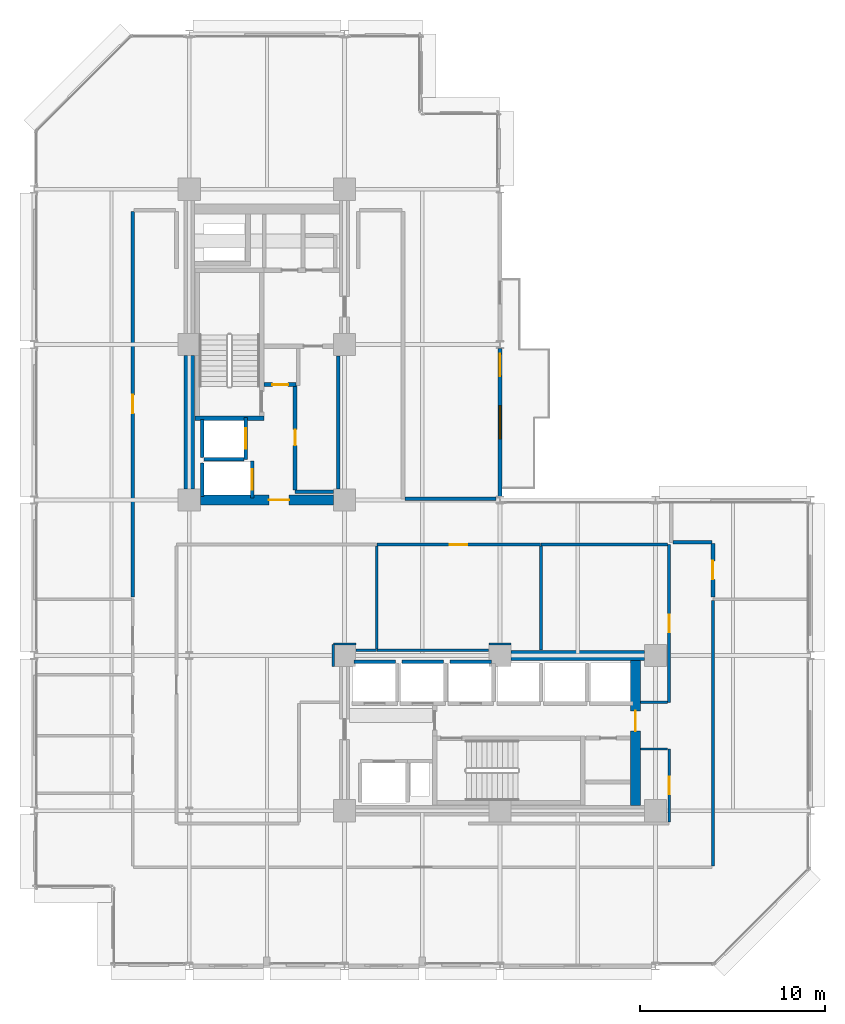
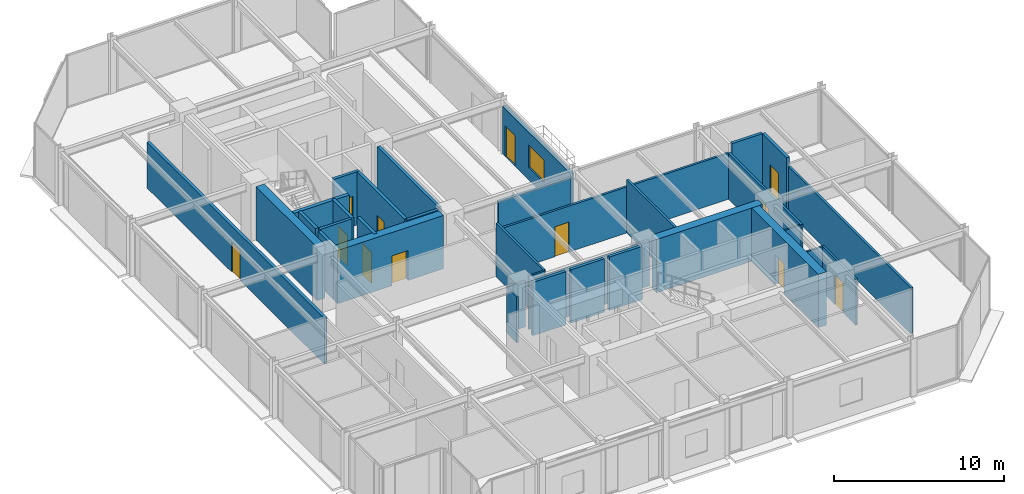
# One storey, part 25 of 30: 36 walls, 12 doors, 1 window, 13 openings.
"""IFC4 building model written with IfcOpenShell, lengths in metres."""

from ifc_helpers import new_model, si_unit, direction, frame, frame_2d, origin, place, context, subcontext, project, spatial, rectangle, extrude, material, layer, layer_set, type_object, element, fill, save


model = new_model("IFC4")

# Units and contexts
model_context = context("Model", 3, precision=1e-05, world=origin(), true_north=direction((0.0, 1.0)))
body_context = subcontext(model_context, "Body", "Model", "MODEL_VIEW")
ifc_project = project(units=[si_unit("LENGTHUNIT", "METRE"), si_unit("AREAUNIT", "SQUARE_METRE"), si_unit("VOLUMEUNIT", "CUBIC_METRE"), si_unit("PLANEANGLEUNIT", "RADIAN"), si_unit("MASSUNIT", "GRAM", prefix="KILO")], contexts=[model_context])

# Site, building, storey
site_placement = place(None, origin())
site = spatial("IfcSite", under=ifc_project, at=site_placement, CompositionType="ELEMENT")
building_placement = place(site_placement, origin())
building = spatial("IfcBuilding", under=site, at=building_placement, Name="Nerrivon Quay Data Exchange", CompositionType="ELEMENT")
storey_placement = place(building_placement, frame((0.0, 0.0, 141.800048828125)))
storey = spatial("IfcBuildingStorey", under=building, at=storey_placement, Name="L33", CompositionType="ELEMENT", Elevation=141.800048828125)

# Wall, openings, door, window
ifc_material_1 = material(Name="Architectural terracotta precast concrete N50 (50 MPa)", Category="masonry")
ifc_layer_1 = layer(ifc_material_1, 0.239990234375)
ifc_layer_set_1 = layer_set([ifc_layer_1], Name="Architectural terracotta precast concrete N50 (50 MPa)")
wall_type_1 = type_object("IfcWallType", Name="EW-PREC-240", PredefinedType="STANDARD", material=ifc_layer_set_1)
wall_1_placement = place(storey_placement, frame((25.199951171875, 33.39990234375, 0.0), z_axis=(0.0, 0.0, 1.0), x_axis=(0.0, -1.0, 0.0)))
wall_1 = element("IfcWall", 1, at=wall_1_placement, inside=storey, type_object=wall_type_1, Name="L33 Terrace Host Wall 25", PredefinedType="STANDARD", context=body_context, shape_type="SweptSolid", body=[
    extrude(rectangle(XDim=8.0, YDim=0.239990234375, at=frame_2d((4.0, 0.0))), origin(), (0.0, 0.0, 1.0), 3.421875),
])
opening_1_placement = place(wall_1_placement, frame((0.300048828125, 0.0, 0.0)))
opening_1 = element("IfcOpeningElement", 2, at=opening_1_placement, cuts=wall_1, Name="Opening TD1", PredefinedType="OPENING", context=body_context, shape_type="SweptSolid", body=[
    extrude(rectangle(XDim=1.199951171875, YDim=2.199951171875, at=frame_2d((0.60009765625, 1.10009765625))), frame((0.0, 0.1298828125, 0.0), z_axis=(0.0, -1.0, 0.0), x_axis=(1.0, 0.0, 0.0)), (0.0, 0.0, 1.0), 0.260009765625),
])
opening_2_placement = place(wall_1_placement, frame((3.10009765625, 0.0, 0.89990234375)))
opening_2 = element("IfcOpeningElement", 3, at=opening_2_placement, cuts=wall_1, Name="Opening WN2", PredefinedType="OPENING", context=body_context, shape_type="SweptSolid", body=[
    extrude(rectangle(XDim=1.800048828125, YDim=1.60009765625, at=frame_2d((0.89990234375, 0.800048828125))), frame((0.0, 0.1298828125, 0.0), z_axis=(0.0, -1.0, 0.0), x_axis=(1.0, 0.0, 0.0)), (0.0, 0.0, 1.0), 0.260009765625),
])
ifc_material_2 = material(Name="Double-glazed low-E solar control glass", Category="glass")
door_type_1 = type_object("IfcDoorType", Name="DR-TERR-1200x2200", OperationType="NOTDEFINED", PredefinedType="DOOR", material=ifc_material_2)
door_1_placement = place(opening_1_placement, origin())
door_1 = element("IfcDoor", 4, at=door_1_placement, inside=storey, type_object=door_type_1, Name="L33 Outdoor Terrace Access Door 25", OperationType="SINGLE_SWING_RIGHT", OverallHeight=2.199951171875, OverallWidth=1.199951171875, PredefinedType="DOOR", context=body_context, shape_type="SweptSolid", body=[
    extrude(rectangle(XDim=1.199951171875, YDim=2.199951171875, at=frame_2d((0.60009765625, 1.10009765625))), frame((0.0, 0.02490234375, 0.0), z_axis=(0.0, -1.0, 0.0), x_axis=(1.0, 0.0, 0.0)), (0.0, 0.0, 1.0), 0.050048828125),
])
fill(opening_1, door_1)
window_type = type_object("IfcWindowType", Name="WIN-W2-1800x1600", PartitioningType="SINGLE_PANEL", PredefinedType="WINDOW", material=ifc_material_2)
window_placement = place(opening_2_placement, origin())
window = element("IfcWindow", 5, at=window_placement, inside=storey, type_object=window_type, Name="L33 Terrace Side Window 25", OverallHeight=1.60009765625, OverallWidth=1.800048828125, PartitioningType="SINGLE_PANEL", PredefinedType="WINDOW", context=body_context, shape_type="SweptSolid", body=[
    extrude(rectangle(XDim=1.800048828125, YDim=1.60009765625, at=frame_2d((0.89990234375, 0.800048828125))), frame((0.0, 0.030029296875, 0.0), z_axis=(0.0, -1.0, 0.0), x_axis=(1.0, 0.0, 0.0)), (0.0, 0.0, 1.0), 0.06005859375),
])
fill(opening_2, window)

# Wall
ifc_material_3 = material(Name="Concrete S65 (65 MPa)", Category="concrete")
ifc_layer_2 = layer(ifc_material_3, 0.550048828125)
ifc_layer_set_2 = layer_set([ifc_layer_2], Name="Concrete S65 (65 MPa)")
wall_type_2 = type_object("IfcWallType", Name="WALL-CW-700", PredefinedType="SHEAR", material=ifc_layer_set_2)
wall_2_placement = place(storey_placement, frame((8.39990234375, 25.800048828125, 0.0), z_axis=(0.0, 0.0, 1.0), x_axis=(0.0, 1.0, 0.0)))
element("IfcWall", 6, at=wall_2_placement, inside=storey, type_object=wall_type_2, Name="L33 West Split-Core Shear Wall WCW-W1", PredefinedType="SHEAR", context=body_context, shape_type="SweptSolid", body=[
    extrude(rectangle(XDim=7.199951171875, YDim=0.550048828125, at=frame_2d((3.60009765625, 0.0))), origin(), (0.0, 0.0, 1.0), 3.824951171875),
])

# Wall, opening, door
wall_3_placement = place(storey_placement, frame((9.0, 25.199951171875, 0.0), z_axis=(0.0, 0.0, 1.0), x_axis=(1.0, 0.0, 0.0)))
wall_3 = element("IfcWall", 7, at=wall_3_placement, inside=storey, type_object=wall_type_2, Name="L33 West Split-Core Shear Wall WCW-S1", PredefinedType="SHEAR", context=body_context, shape_type="SweptSolid", body=[
    extrude(rectangle(XDim=7.199951171875, YDim=0.550048828125, at=frame_2d((3.60009765625, 0.0))), origin(), (0.0, 0.0, 1.0), 3.824951171875),
])
opening_3_placement = place(wall_3_placement, frame((3.699951171875, 0.0, 0.0)))
opening_3 = element("IfcOpeningElement", 8, at=opening_3_placement, cuts=wall_3, Name="Opening FD-120", PredefinedType="OPENING", context=body_context, shape_type="SweptSolid", body=[
    extrude(rectangle(XDim=1.10009765625, YDim=2.14990234375, at=frame_2d((0.550048828125, 1.074951171875))), frame((0.0, 0.284912109375, 0.0), z_axis=(0.0, -1.0, 0.0), x_axis=(1.0, 0.0, 0.0)), (0.0, 0.0, 1.0), 0.570068359375),
])
ifc_material_4 = material(Name="Powder-coated galvanized steel sheet", Category="steel")
door_type_2 = type_object("IfcDoorType", Name="DR-FD120-1100", OperationType="NOTDEFINED", PredefinedType="DOOR", material=ifc_material_4)
door_2_placement = place(opening_3_placement, origin())
door_2 = element("IfcDoor", 9, at=door_2_placement, inside=storey, type_object=door_type_2, Name="L33 West Core Lobby Fire Door", OperationType="SINGLE_SWING_RIGHT", OverallHeight=2.14990234375, OverallWidth=1.10009765625, PredefinedType="DOOR", context=body_context, shape_type="SweptSolid", body=[
    extrude(rectangle(XDim=1.10009765625, YDim=2.14990234375, at=frame_2d((0.550048828125, 1.074951171875))), frame((0.0, 0.02490234375, 0.0), z_axis=(0.0, -1.0, 0.0), x_axis=(1.0, 0.0, 0.0)), (0.0, 0.0, 1.0), 0.050048828125),
])
fill(opening_3, door_2)

wall_4_placement = place(storey_placement, frame((32.52490234375, 8.675048828125, 0.0), z_axis=(0.0, 0.0, 1.0), x_axis=(0.0, 1.0, 0.0)))
wall_4 = element("IfcWall", 10, at=wall_4_placement, inside=storey, type_object=wall_type_2, Name="L33 East Split-Core Shear Wall ECW-E1", PredefinedType="SHEAR", context=body_context, shape_type="SweptSolid", body=[
    extrude(rectangle(XDim=7.849853515625, YDim=0.550048828125, at=frame_2d((3.9248046875, 0.0))), origin(), (0.0, 0.0, 1.0), 3.824951171875),
])
opening_4_placement = place(wall_4_placement, frame((4.02490234375, 0.0, 0.0)))
opening_4 = element("IfcOpeningElement", 11, at=opening_4_placement, cuts=wall_4, Name="Opening FD-120", PredefinedType="OPENING", context=body_context, shape_type="SweptSolid", body=[
    extrude(rectangle(XDim=1.10009765625, YDim=2.14990234375, at=frame_2d((0.550048828125, 1.074951171875))), frame((0.0, 0.284912109375, 0.0), z_axis=(0.0, -1.0, 0.0), x_axis=(1.0, 0.0, 0.0)), (0.0, 0.0, 1.0), 0.570068359375),
])
door_3_placement = place(opening_4_placement, origin())
door_3 = element("IfcDoor", 12, at=door_3_placement, inside=storey, type_object=door_type_2, Name="L33 East Core Lobby Fire Door", OperationType="SINGLE_SWING_LEFT", OverallHeight=2.14990234375, OverallWidth=1.10009765625, PredefinedType="DOOR", context=body_context, shape_type="SweptSolid", body=[
    extrude(rectangle(XDim=1.10009765625, YDim=2.14990234375, at=frame_2d((0.550048828125, 1.074951171875))), frame((0.0, 0.02490234375, 0.0), z_axis=(0.0, -1.0, 0.0), x_axis=(1.0, 0.0, 0.0)), (0.0, 0.0, 1.0), 0.050048828125),
])
fill(opening_4, door_3)

# Wall
wall_5_placement = place(storey_placement, frame((25.800048828125, 16.800048828125, 0.0), z_axis=(0.0, 0.0, 1.0), x_axis=(1.0, 0.0, 0.0)))
element("IfcWall", 13, at=wall_5_placement, inside=storey, type_object=wall_type_2, Name="L33 East Split-Core Shear Wall ECW-N1", PredefinedType="SHEAR", context=body_context, shape_type="SweptSolid", body=[
    extrude(rectangle(XDim=7.199951171875, YDim=0.550048828125, at=frame_2d((3.60009765625, 0.0))), origin(), (0.0, 0.0, 1.0), 3.824951171875),
])

# Wall, opening, door
ifc_material_5 = material(Name="Gypsum plasterboard on cold-formed framing", Category="gypsum")
ifc_layer_3 = layer(ifc_material_5, 0.199951171875)
ifc_layer_set_3 = layer_set([ifc_layer_3], Name="Gypsum plasterboard on cold-formed framing")
wall_type_3 = type_object("IfcWallType", Name="WALL-FW-200", PredefinedType="PARTITIONING", material=ifc_layer_set_3)
wall_6_placement = place(storey_placement, frame((11.449951171875, 27.39990234375, 0.0), z_axis=(0.0, 0.0, 1.0), x_axis=(0.0, 1.0, 0.0)))
wall_6 = element("IfcWall", 14, at=wall_6_placement, inside=storey, type_object=wall_type_3, Name="L33 Lift Front Wall FFL-1", PredefinedType="PARTITIONING", context=body_context, shape_type="SweptSolid", body=[
    extrude(rectangle(XDim=2.25, YDim=0.199951171875, at=frame_2d((1.125, 0.0))), origin(), (0.0, 0.0, 1.0), 3.824951171875),
])
opening_5_placement = place(wall_6_placement, frame((0.574951171875, 0.0, 0.0)))
opening_5 = element("IfcOpeningElement", 15, at=opening_5_placement, cuts=wall_6, Name="Opening LD-120", PredefinedType="OPENING", context=body_context, shape_type="SweptSolid", body=[
    extrude(rectangle(XDim=1.10009765625, YDim=2.199951171875, at=frame_2d((0.550048828125, 1.10009765625))), frame((0.0, 0.10986328125, 0.0), z_axis=(0.0, -1.0, 0.0), x_axis=(1.0, 0.0, 0.0)), (0.0, 0.0, 1.0), 0.219970703125),
])
door_type_3 = type_object("IfcDoorType", Name="DR-LIFT-LD120", OperationType="DOUBLE_DOOR_SLIDING", PredefinedType="DOOR", material=ifc_material_4)
door_4_placement = place(opening_5_placement, origin())
door_4 = element("IfcDoor", 16, at=door_4_placement, inside=storey, type_object=door_type_3, Name="L33 Lift Landing Sliding Door FFL-1", OperationType="DOUBLE_DOOR_SLIDING", OverallHeight=2.199951171875, OverallWidth=1.10009765625, PredefinedType="DOOR", context=body_context, shape_type="SweptSolid", body=[
    extrude(rectangle(XDim=1.10009765625, YDim=2.199951171875, at=frame_2d((0.550048828125, 1.10009765625))), frame((0.0, 0.02490234375, 0.0), z_axis=(0.0, -1.0, 0.0), x_axis=(1.0, 0.0, 0.0)), (0.0, 0.0, 1.0), 0.050048828125),
])
fill(opening_5, door_4)

# Walls
wall_7_placement = place(storey_placement, frame((9.10009765625, 27.5, 0.0), z_axis=(0.0, 0.0, 1.0), x_axis=(0.0, 1.0, 0.0)))
element("IfcWall", 17, at=wall_7_placement, inside=storey, type_object=wall_type_3, Name="L33 Lift Shaft Wall FFL-1 WEST", PredefinedType="PARTITIONING", context=body_context, shape_type="SweptSolid", body=[
    extrude(rectangle(XDim=2.050048828125, YDim=0.199951171875, at=frame_2d((1.02490234375, 0.0))), origin(), (0.0, 0.0, 1.0), 3.824951171875),
])
wall_8_placement = place(storey_placement, frame((9.199951171875, 27.39990234375, 0.0), z_axis=(0.0, 0.0, 1.0), x_axis=(1.0, 0.0, 0.0)))
element("IfcWall", 18, at=wall_8_placement, inside=storey, type_object=wall_type_3, Name="L33 Lift Shaft Wall FFL-1 SOUTH", PredefinedType="PARTITIONING", context=body_context, shape_type="SweptSolid", body=[
    extrude(rectangle(XDim=2.150146484375, YDim=0.199951171875, at=frame_2d((1.0751953125, 0.0))), origin(), (0.0, 0.0, 1.0), 3.824951171875),
])

# Wall, opening, door
wall_9_placement = place(storey_placement, frame((11.800048828125, 25.300048828125, 0.0), z_axis=(0.0, 0.0, 1.0), x_axis=(0.0, 1.0, 0.0)))
wall_9 = element("IfcWall", 19, at=wall_9_placement, inside=storey, type_object=wall_type_3, Name="L33 Lift Front Wall SVL-1", PredefinedType="PARTITIONING", context=body_context, shape_type="SweptSolid", body=[
    extrude(rectangle(XDim=2.0, YDim=0.199951171875, at=frame_2d((1.0, 0.0))), origin(), (0.0, 0.0, 1.0), 3.824951171875),
])
opening_6_placement = place(wall_9_placement, frame((0.449951171875, 0.0, 0.0)))
opening_6 = element("IfcOpeningElement", 20, at=opening_6_placement, cuts=wall_9, Name="Opening LD-120", PredefinedType="OPENING", context=body_context, shape_type="SweptSolid", body=[
    extrude(rectangle(XDim=1.10009765625, YDim=2.199951171875, at=frame_2d((0.550048828125, 1.10009765625))), frame((0.0, 0.10986328125, 0.0), z_axis=(0.0, -1.0, 0.0), x_axis=(1.0, 0.0, 0.0)), (0.0, 0.0, 1.0), 0.219970703125),
])
door_5_placement = place(opening_6_placement, origin())
door_5 = element("IfcDoor", 21, at=door_5_placement, inside=storey, type_object=door_type_3, Name="L33 Lift Landing Sliding Door SVL-1", OperationType="DOUBLE_DOOR_SLIDING", OverallHeight=2.199951171875, OverallWidth=1.10009765625, PredefinedType="DOOR", context=body_context, shape_type="SweptSolid", body=[
    extrude(rectangle(XDim=1.10009765625, YDim=2.199951171875, at=frame_2d((0.550048828125, 1.10009765625))), frame((0.0, 0.02490234375, 0.0), z_axis=(0.0, -1.0, 0.0), x_axis=(1.0, 0.0, 0.0)), (0.0, 0.0, 1.0), 0.050048828125),
])
fill(opening_6, door_5)

# Walls
wall_10_placement = place(storey_placement, frame((9.10009765625, 25.39990234375, 0.0), z_axis=(0.0, 0.0, 1.0), x_axis=(0.0, 1.0, 0.0)))
element("IfcWall", 22, at=wall_10_placement, inside=storey, type_object=wall_type_3, Name="L33 Lift Shaft Wall SVL-1 WEST", PredefinedType="PARTITIONING", context=body_context, shape_type="SweptSolid", body=[
    extrude(rectangle(XDim=1.800048828125, YDim=0.199951171875, at=frame_2d((0.89990234375, 0.0))), origin(), (0.0, 0.0, 1.0), 3.824951171875),
])
for number, where, z_axis, x_axis, name in (
    (23, (17.300048828125, 16.449951171875, 0.0), (0.0, 0.0, 1.0), (1.0, 0.0, 0.0), "L33 Lift Shaft Wall PL4 NORTH"),
    (24, (19.89990234375, 16.449951171875, 0.0), (0.0, 0.0, 1.0), (1.0, 0.0, 0.0), "L33 Lift Shaft Wall PL5 NORTH"),
    (25, (22.5, 16.449951171875, 0.0), (0.0, 0.0, 1.0), (1.0, 0.0, 0.0), "L33 Lift Shaft Wall PL6 NORTH"),
):
    element("IfcWall", number, at=place(storey_placement, frame(where, z_axis=z_axis, x_axis=x_axis)), inside=storey, type_object=wall_type_3, Name=name, PredefinedType="PARTITIONING", context=body_context, shape_type="SweptSolid", body=[
        extrude(rectangle(XDim=2.25, YDim=0.199951171875, at=frame_2d((1.125, 0.0))), origin(), (0.0, 0.0, 1.0), 3.824951171875),
    ])
wall_11_placement = place(storey_placement, frame((14.1201171875, 25.64990234375, 0.0), z_axis=(0.0, 0.0, 1.0), x_axis=(1.0, 0.0, 0.0)))
element("IfcWall", 26, at=wall_11_placement, inside=storey, type_object=wall_type_3, Name="L33 Partition Core Equipment Store", PredefinedType="PARTITIONING", context=body_context, shape_type="SweptSolid", body=[
    extrude(rectangle(XDim=2.074951171875, YDim=0.199951171875, at=frame_2d((1.03759765625, 0.0))), origin(), (0.0, 0.0, 1.0), 3.824951171875),
])
wall_12_placement = place(storey_placement, frame((16.449951171875, 25.804931640625, 0.0), z_axis=(0.0, 0.0, 1.0), x_axis=(0.0, 1.0, 0.0)))
element("IfcWall", 27, at=wall_12_placement, inside=storey, type_object=wall_type_3, Name="L33 Partition Core Equipment Store", PredefinedType="PARTITIONING", context=body_context, shape_type="SweptSolid", body=[
    extrude(rectangle(XDim=7.190185546875, YDim=0.199951171875, at=frame_2d((3.59521484375, 0.0))), origin(), (0.0, 0.0, 1.0), 3.824951171875),
])

# Wall, opening, door
wall_13_placement = place(storey_placement, frame((14.1201171875, 31.39990234375, 0.0), z_axis=(0.0, 0.0, 1.0), x_axis=(0.0, -1.0, 0.0)))
wall_13 = element("IfcWall", 28, at=wall_13_placement, inside=storey, type_object=wall_type_3, Name="L33 Partition Core Equipment Store", PredefinedType="PARTITIONING", context=body_context, shape_type="SweptSolid", body=[
    extrude(rectangle(XDim=5.64599609375, YDim=0.199951171875, at=frame_2d((2.822998046875, 0.0))), origin(), (0.0, 0.0, 1.0), 3.824951171875),
])
opening_7_placement = place(wall_13_placement, frame((2.39794921875, 0.0, 0.0)))
opening_7 = element("IfcOpeningElement", 29, at=opening_7_placement, cuts=wall_13, Name="Opening FD-60S", PredefinedType="OPENING", context=body_context, shape_type="SweptSolid", body=[
    extrude(rectangle(XDim=0.85009765625, YDim=2.14990234375, at=frame_2d((0.425048828125, 1.074951171875))), frame((0.0, 0.10986328125, 0.0), z_axis=(0.0, -1.0, 0.0), x_axis=(1.0, 0.0, 0.0)), (0.0, 0.0, 1.0), 0.219970703125),
])
ifc_material_6 = material(Name="Engineered hardwood timber", Category="wood")
door_type_4 = type_object("IfcDoorType", Name="DR-FD60-850", OperationType="NOTDEFINED", PredefinedType="DOOR", material=ifc_material_6)
door_6_placement = place(opening_7_placement, origin())
door_6 = element("IfcDoor", 30, at=door_6_placement, inside=storey, type_object=door_type_4, Name="L33 Door Core Equipment Store", OperationType="SINGLE_SWING_LEFT", OverallHeight=2.14990234375, OverallWidth=0.85009765625, PredefinedType="DOOR", context=body_context, shape_type="SweptSolid", body=[
    extrude(rectangle(XDim=0.85009765625, YDim=2.14990234375, at=frame_2d((0.425048828125, 1.074951171875))), frame((0.0, 0.02490234375, 0.0), z_axis=(0.0, -1.0, 0.0), x_axis=(1.0, 0.0, 0.0)), (0.0, 0.0, 1.0), 0.050048828125),
])
fill(opening_7, door_6)

wall_14_placement = place(storey_placement, frame((12.4541015625, 31.43994140625, 0.0), z_axis=(0.0, 0.0, 1.0), x_axis=(1.0, 0.0, 0.0)))
wall_14 = element("IfcWall", 31, at=wall_14_placement, inside=storey, type_object=wall_type_3, Name="L33 Partition Optical Patch Closet", PredefinedType="PARTITIONING", context=body_context, shape_type="SweptSolid", body=[
    extrude(rectangle(XDim=1.725830078125, YDim=0.199951171875, at=frame_2d((0.86279296875, 0.0))), origin(), (0.0, 0.0, 1.0), 3.824951171875),
])
opening_8_placement = place(wall_14_placement, frame((0.43798828125, 0.0, 0.0)))
opening_8 = element("IfcOpeningElement", 32, at=opening_8_placement, cuts=wall_14, Name="Opening FD-60S", PredefinedType="OPENING", context=body_context, shape_type="SweptSolid", body=[
    extrude(rectangle(XDim=0.85009765625, YDim=2.14990234375, at=frame_2d((0.425048828125, 1.074951171875))), frame((0.0, 0.10986328125, 0.0), z_axis=(0.0, -1.0, 0.0), x_axis=(1.0, 0.0, 0.0)), (0.0, 0.0, 1.0), 0.219970703125),
])
door_7_placement = place(opening_8_placement, origin())
door_7 = element("IfcDoor", 33, at=door_7_placement, inside=storey, type_object=door_type_4, Name="L33 Door Optical Patch Closet", OperationType="SINGLE_SWING_RIGHT", OverallHeight=2.14990234375, OverallWidth=0.85009765625, PredefinedType="DOOR", context=body_context, shape_type="SweptSolid", body=[
    extrude(rectangle(XDim=0.85009765625, YDim=2.14990234375, at=frame_2d((0.425048828125, 1.074951171875))), frame((0.0, 0.02490234375, 0.0), z_axis=(0.0, -1.0, 0.0), x_axis=(1.0, 0.0, 0.0)), (0.0, 0.0, 1.0), 0.050048828125),
])
fill(opening_8, door_7)

wall_15_placement = place(storey_placement, frame((36.7099609375, 22.85009765625, 0.0), z_axis=(0.0, 0.0, 1.0), x_axis=(0.0, -1.0, 0.0)))
wall_15 = element("IfcWall", 34, at=wall_15_placement, inside=storey, type_object=wall_type_3, Name="L33 Partition Colocation Data Workspace 1", PredefinedType="PARTITIONING", context=body_context, shape_type="SweptSolid", body=[
    extrude(rectangle(XDim=2.886962890625, YDim=0.199951171875, at=frame_2d((1.443359375, 0.0))), origin(), (0.0, 0.0, 1.0), 3.824951171875),
])
opening_9_placement = place(wall_15_placement, frame((0.943359375, 0.0, 0.0)))
opening_9 = element("IfcOpeningElement", 35, at=opening_9_placement, cuts=wall_15, Name="Opening FD-60", PredefinedType="OPENING", context=body_context, shape_type="SweptSolid", body=[
    extrude(rectangle(XDim=1.0, YDim=2.14990234375, at=frame_2d((0.5, 1.074951171875))), frame((0.0, 0.10986328125, 0.0), z_axis=(0.0, -1.0, 0.0), x_axis=(1.0, 0.0, 0.0)), (0.0, 0.0, 1.0), 0.219970703125),
])
door_type_5 = type_object("IfcDoorType", Name="DR-FD60-1000", OperationType="NOTDEFINED", PredefinedType="DOOR", material=ifc_material_6)
door_8_placement = place(opening_9_placement, origin())
door_8 = element("IfcDoor", 36, at=door_8_placement, inside=storey, type_object=door_type_5, Name="L33 Door Colocation Data Workspace 1", OperationType="SINGLE_SWING_RIGHT", OverallHeight=2.14990234375, OverallWidth=1.0, PredefinedType="DOOR", context=body_context, shape_type="SweptSolid", body=[
    extrude(rectangle(XDim=1.0, YDim=2.14990234375, at=frame_2d((0.5, 1.074951171875))), frame((0.0, 0.02490234375, 0.0), z_axis=(0.0, -1.0, 0.0), x_axis=(1.0, 0.0, 0.0)), (0.0, 0.0, 1.0), 0.050048828125),
])
fill(opening_9, door_8)

# Wall
wall_16_placement = place(storey_placement, frame((34.56396484375, 22.909912109375, 0.0), z_axis=(0.0, 0.0, 1.0), x_axis=(1.0, 0.0, 0.0)))
element("IfcWall", 37, at=wall_16_placement, inside=storey, type_object=wall_type_3, Name="L33 Partition Colocation Data Workspace 1", PredefinedType="PARTITIONING", context=body_context, shape_type="SweptSolid", body=[
    extrude(rectangle(XDim=2.0859375, YDim=0.199951171875, at=frame_2d((1.04296875, 0.0))), origin(), (0.0, 0.0, 1.0), 3.824951171875),
])

# Wall, opening, door
wall_17_placement = place(storey_placement, frame((5.340087890625, 19.963134765625, 0.0), z_axis=(0.0, 0.0, 1.0), x_axis=(1.1713442e-05, 0.999999999931, 0.0)))
wall_17 = element("IfcWall", 38, at=wall_17_placement, inside=storey, type_object=wall_type_3, Name="L33 Partition Colocation Data Workspace 1", PredefinedType="PARTITIONING", context=body_context, shape_type="SweptSolid", body=[
    extrude(rectangle(XDim=20.8427734375, YDim=0.199951171875, at=frame_2d((10.42138671875, 0.0))), origin(), (0.0, 0.0, 1.0), 3.2919921875),
])
opening_10_placement = place(wall_17_placement, frame((9.92138671875, 0.0, 0.0)))
opening_10 = element("IfcOpeningElement", 39, at=opening_10_placement, cuts=wall_17, Name="Opening FD-60", PredefinedType="OPENING", context=body_context, shape_type="SweptSolid", body=[
    extrude(rectangle(XDim=1.0, YDim=2.14990234375, at=frame_2d((0.5, 1.074951171875))), frame((0.0, 0.10986328125, 0.0), z_axis=(0.0, -1.0, 0.0), x_axis=(1.0, 0.0, 0.0)), (0.0, 0.0, 1.0), 0.219970703125),
])
door_9_placement = place(opening_10_placement, origin())
door_9 = element("IfcDoor", 40, at=door_9_placement, inside=storey, type_object=door_type_5, Name="L33 Door Colocation Data Workspace 1", OperationType="SINGLE_SWING_LEFT", OverallHeight=2.14990234375, OverallWidth=1.0, PredefinedType="DOOR", context=body_context, shape_type="SweptSolid", body=[
    extrude(rectangle(XDim=1.0, YDim=2.14990234375, at=frame_2d((0.5, 1.074951171875))), frame((0.0, 0.02490234375, 0.0), z_axis=(0.0, -1.0, 0.0), x_axis=(1.0, 0.0, 0.0)), (0.0, 0.0, 1.0), 0.050048828125),
])
fill(opening_10, door_9)

# Walls
wall_18_placement = place(storey_placement, frame((20.06396484375, 25.260009765625, 0.0), z_axis=(0.0, 0.0, 1.0), x_axis=(1.0, 0.0, 0.0)))
element("IfcWall", 41, at=wall_18_placement, inside=storey, type_object=wall_type_3, Name="L33 Partition Colocation Data Workspace 1", PredefinedType="PARTITIONING", context=body_context, shape_type="SweptSolid", body=[
    extrude(rectangle(XDim=4.916015625, YDim=0.199951171875, at=frame_2d((2.4580078125, 0.0))), origin(), (0.0, 0.0, 1.0), 3.2919921875),
])
ifc_layer_4 = layer(ifc_material_5, 0.1201171875)
ifc_layer_set_4 = layer_set([ifc_layer_4], Name="Gypsum plasterboard on cold-formed framing")
wall_type_4 = type_object("IfcWallType", Name="WALL-PT-120", PredefinedType="PARTITIONING", material=ifc_layer_set_4)
wall_19_placement = place(storey_placement, frame((34.2685546875, 11.739990234375, 0.0), z_axis=(0.0, 0.0, 1.0), x_axis=(-1.0, 0.0, 0.0)))
element("IfcWall", 42, at=wall_19_placement, inside=storey, type_object=wall_type_4, Name="L33 Partition Staff Pantry", PredefinedType="PARTITIONING", context=body_context, shape_type="SweptSolid", body=[
    extrude(rectangle(XDim=1.464599609375, YDim=0.1201171875, at=frame_2d((0.732421875, 0.0))), origin(), (0.0, 0.0, 1.0), 3.296875),
])
wall_20_placement = place(storey_placement, frame((32.803955078125, 14.260009765625, 0.0), z_axis=(0.0, 0.0, 1.0), x_axis=(1.0, 0.0, 0.0)))
element("IfcWall", 43, at=wall_20_placement, inside=storey, type_object=wall_type_4, Name="L33 Partition Mail and Crew Room", PredefinedType="PARTITIONING", context=body_context, shape_type="SweptSolid", body=[
    extrude(rectangle(XDim=1.45703125, YDim=0.1201171875, at=frame_2d((0.728515625, 0.0))), origin(), (0.0, 0.0, 1.0), 3.296875),
])
wall_21_placement = place(storey_placement, frame((24.59423828125, 17.419189453125, 0.0), z_axis=(0.0, 0.0, 1.0), x_axis=(0.999999815526, 0.000607410295, 0.0)))
element("IfcWall", 44, at=wall_21_placement, inside=storey, type_object=wall_type_4, Name="L33 Partition Client Conference Room 1", PredefinedType="PARTITIONING", context=body_context, shape_type="SweptSolid", body=[
    extrude(rectangle(XDim=1.205810546875, YDim=0.1201171875, at=frame_2d((0.60302734375, 0.0))), origin(), (0.0, 0.0, 1.0), 3.296875),
])
wall_22_placement = place(storey_placement, frame((16.180908203125, 16.194091796875, 0.0), z_axis=(0.0, 0.0, 1.0), x_axis=(-0.000809880277, 0.999999672047, 0.0)))
element("IfcWall", 45, at=wall_22_placement, inside=storey, type_object=wall_type_4, Name="L33 Partition Peering Huddle Meeting Room", PredefinedType="PARTITIONING", context=body_context, shape_type="SweptSolid", body=[
    extrude(rectangle(XDim=1.205810546875, YDim=0.1201171875, at=frame_2d((0.60302734375, 0.0))), origin(), (0.0, 0.0, 1.0), 3.2919921875),
])
wall_23_placement = place(storey_placement, frame((16.199951171875, 17.419921875, 0.0), z_axis=(0.0, 0.0, 1.0), x_axis=(1.0, 0.0, 0.0)))
element("IfcWall", 46, at=wall_23_placement, inside=storey, type_object=wall_type_4, Name="L33 Partition Peering Huddle Meeting Room", PredefinedType="PARTITIONING", context=body_context, shape_type="SweptSolid", body=[
    extrude(rectangle(XDim=1.2021484375, YDim=0.1201171875, at=frame_2d((0.60107421875, 0.0))), origin(), (0.0, 0.0, 1.0), 3.296875),
])
wall_24_placement = place(storey_placement, frame((17.419921875, 17.074951171875, 0.0), z_axis=(0.0, 0.0, 1.0), x_axis=(1.0, 0.0, 0.0)))
element("IfcWall", 47, at=wall_24_placement, inside=storey, type_object=wall_type_4, Name="L33 Partition Peering Huddle Meeting Room", PredefinedType="PARTITIONING", context=body_context, shape_type="SweptSolid", body=[
    extrude(rectangle(XDim=1.099609375, YDim=0.1201171875, at=frame_2d((0.5498046875, 0.0))), origin(), (0.0, 0.0, 1.0), 3.824951171875),
])

# Wall, opening, door
ifc_layer_5 = layer(ifc_material_5, 0.135009765625)
ifc_layer_set_5 = layer_set([ifc_layer_5], Name="Gypsum plasterboard on cold-formed framing")
wall_type_5 = type_object("IfcWallType", Name="WALL-PT-135", PredefinedType="PARTITIONING", material=ifc_layer_set_5)
wall_25_placement = place(storey_placement, frame((34.340087890625, 7.7890625, 0.0), z_axis=(0.0, 0.0, 1.0), x_axis=(0.0, 1.0, 0.0)))
wall_25 = element("IfcWall", 48, at=wall_25_placement, inside=storey, type_object=wall_type_5, Name="L33 Partition Staff Pantry", PredefinedType="PARTITIONING", context=body_context, shape_type="SweptSolid", body=[
    extrude(rectangle(XDim=3.950927734375, YDim=0.135009765625, at=frame_2d((1.9755859375, 0.0))), origin(), (0.0, 0.0, 1.0), 3.2919921875),
])
opening_11_placement = place(wall_25_placement, frame((1.50048828125, 0.0, 0.0)))
opening_11 = element("IfcOpeningElement", 49, at=opening_11_placement, cuts=wall_25, Name="Opening D-01", PredefinedType="OPENING", context=body_context, shape_type="SweptSolid", body=[
    extrude(rectangle(XDim=0.949951171875, YDim=2.14990234375, at=frame_2d((0.47509765625, 1.074951171875))), frame((0.0, 0.077392578125, 0.0), z_axis=(0.0, -1.0, 0.0), x_axis=(1.0, 0.0, 0.0)), (0.0, 0.0, 1.0), 0.155029296875),
])
door_type_6 = type_object("IfcDoorType", Name="DR-INT-950", OperationType="NOTDEFINED", PredefinedType="DOOR", material=ifc_material_6)
door_10_placement = place(opening_11_placement, origin())
door_10 = element("IfcDoor", 50, at=door_10_placement, inside=storey, type_object=door_type_6, Name="L33 Door Staff Pantry", OperationType="SINGLE_SWING_RIGHT", OverallHeight=2.14990234375, OverallWidth=0.949951171875, PredefinedType="DOOR", context=body_context, shape_type="SweptSolid", body=[
    extrude(rectangle(XDim=0.949951171875, YDim=2.14990234375, at=frame_2d((0.47509765625, 1.074951171875))), frame((0.0, 0.02490234375, 0.0), z_axis=(0.0, -1.0, 0.0), x_axis=(1.0, 0.0, 0.0)), (0.0, 0.0, 1.0), 0.050048828125),
])
fill(opening_11, door_10)

ifc_layer_6 = layer(ifc_material_5, 0.14990234375)
ifc_layer_set_6 = layer_set([ifc_layer_6], Name="Gypsum plasterboard on cold-formed framing")
wall_type_6 = type_object("IfcWallType", Name="WALL-PT-150", PredefinedType="PARTITIONING", material=ifc_layer_set_6)
wall_26_placement = place(storey_placement, frame((34.340087890625, 14.260009765625, 0.0), z_axis=(0.0, 0.0, 1.0), x_axis=(0.0, 1.0, 0.0)))
wall_26 = element("IfcWall", 51, at=wall_26_placement, inside=storey, type_object=wall_type_6, Name="L33 Partition Mail and Crew Room", PredefinedType="PARTITIONING", context=body_context, shape_type="SweptSolid", body=[
    extrude(rectangle(XDim=8.530029296875, YDim=0.14990234375, at=frame_2d((4.26513671875, 0.0))), origin(), (0.0, 0.0, 1.0), 3.2919921875),
])
opening_12_placement = place(wall_26_placement, frame((3.7900390625, 0.0, 0.0)))
opening_12 = element("IfcOpeningElement", 52, at=opening_12_placement, cuts=wall_26, Name="Opening D-01", PredefinedType="OPENING", context=body_context, shape_type="SweptSolid", body=[
    extrude(rectangle(XDim=0.949951171875, YDim=2.14990234375, at=frame_2d((0.47509765625, 1.074951171875))), frame((0.0, 0.0849609375, 0.0), z_axis=(0.0, -1.0, 0.0), x_axis=(1.0, 0.0, 0.0)), (0.0, 0.0, 1.0), 0.169921875),
])
door_11_placement = place(opening_12_placement, origin())
door_11 = element("IfcDoor", 53, at=door_11_placement, inside=storey, type_object=door_type_6, Name="L33 Door Mail and Crew Room", OperationType="SINGLE_SWING_RIGHT", OverallHeight=2.14990234375, OverallWidth=0.949951171875, PredefinedType="DOOR", context=body_context, shape_type="SweptSolid", body=[
    extrude(rectangle(XDim=0.949951171875, YDim=2.14990234375, at=frame_2d((0.47509765625, 1.074951171875))), frame((0.0, 0.02490234375, 0.0), z_axis=(0.0, -1.0, 0.0), x_axis=(1.0, 0.0, 0.0)), (0.0, 0.0, 1.0), 0.050048828125),
])
fill(opening_12, door_11)

# Walls
wall_27_placement = place(storey_placement, frame((34.260986328125, 22.7900390625, 0.0), z_axis=(0.0, 0.0, 1.0), x_axis=(-1.0, 0.0, 0.0)))
element("IfcWall", 54, at=wall_27_placement, inside=storey, type_object=wall_type_6, Name="L33 Partition Mail and Crew Room", PredefinedType="PARTITIONING", context=body_context, shape_type="SweptSolid", body=[
    extrude(rectangle(XDim=6.8447265625, YDim=0.14990234375, at=frame_2d((3.42236328125, 0.0))), origin(), (0.0, 0.0, 1.0), 3.296875),
])
wall_28_placement = place(storey_placement, frame((27.416259765625, 22.7109375, 0.0), z_axis=(0.0, 0.0, 1.0), x_axis=(0.0, -1.0, 0.0)))
element("IfcWall", 55, at=wall_28_placement, inside=storey, type_object=wall_type_6, Name="L33 Partition Mail and Crew Room", PredefinedType="PARTITIONING", context=body_context, shape_type="SweptSolid", body=[
    extrude(rectangle(XDim=5.6318359375, YDim=0.14990234375, at=frame_2d((2.81591796875, 0.0))), origin(), (0.0, 0.0, 1.0), 3.824951171875),
])
wall_29_placement = place(storey_placement, frame((18.53955078125, 17.074951171875, 0.0), z_axis=(0.0, 0.0, 1.0), x_axis=(1.0, 0.0, 0.0)))
element("IfcWall", 56, at=wall_29_placement, inside=storey, type_object=wall_type_6, Name="L33 Partition Client Conference Room 1", PredefinedType="PARTITIONING", context=body_context, shape_type="SweptSolid", body=[
    extrude(rectangle(XDim=6.04052734375, YDim=0.14990234375, at=frame_2d((3.020263671875, 0.0))), origin(), (0.0, 0.0, 1.0), 3.468994140625),
])

# Wall, opening, door
wall_30_placement = place(storey_placement, frame((27.396240234375, 22.7900390625, 0.0), z_axis=(0.0, 0.0, 1.0), x_axis=(-1.0, 0.0, 0.0)))
wall_30 = element("IfcWall", 57, at=wall_30_placement, inside=storey, type_object=wall_type_6, Name="L33 Partition Client Conference Room 1", PredefinedType="PARTITIONING", context=body_context, shape_type="SweptSolid", body=[
    extrude(rectangle(XDim=8.856689453125, YDim=0.14990234375, at=frame_2d((4.42822265625, 0.0))), origin(), (0.0, 0.0, 1.0), 3.296875),
])
opening_13_placement = place(wall_30_placement, frame((3.953369140625, 0.0, 0.0)))
opening_13 = element("IfcOpeningElement", 58, at=opening_13_placement, cuts=wall_30, Name="Opening D-01", PredefinedType="OPENING", context=body_context, shape_type="SweptSolid", body=[
    extrude(rectangle(XDim=0.949951171875, YDim=2.14990234375, at=frame_2d((0.47509765625, 1.074951171875))), frame((0.0, 0.0849609375, 0.0), z_axis=(0.0, -1.0, 0.0), x_axis=(1.0, 0.0, 0.0)), (0.0, 0.0, 1.0), 0.169921875),
])
door_12_placement = place(opening_13_placement, origin())
door_12 = element("IfcDoor", 59, at=door_12_placement, inside=storey, type_object=door_type_6, Name="L33 Door Client Conference Room 1", OperationType="SINGLE_SWING_LEFT", OverallHeight=2.14990234375, OverallWidth=0.949951171875, PredefinedType="DOOR", context=body_context, shape_type="SweptSolid", body=[
    extrude(rectangle(XDim=0.949951171875, YDim=2.14990234375, at=frame_2d((0.47509765625, 1.074951171875))), frame((0.0, 0.02490234375, 0.0), z_axis=(0.0, -1.0, 0.0), x_axis=(1.0, 0.0, 0.0)), (0.0, 0.0, 1.0), 0.050048828125),
])
fill(opening_13, door_12)

# Walls
wall_31_placement = place(storey_placement, frame((18.53955078125, 22.7109375, 0.0), z_axis=(0.0, 0.0, 1.0), x_axis=(0.0, -1.0, 0.0)))
element("IfcWall", 60, at=wall_31_placement, inside=storey, type_object=wall_type_6, Name="L33 Partition Client Conference Room 1", PredefinedType="PARTITIONING", context=body_context, shape_type="SweptSolid", body=[
    extrude(rectangle(XDim=5.556884765625, YDim=0.14990234375, at=frame_2d((2.7783203125, 0.0))), origin(), (0.0, 0.0, 1.0), 3.824951171875),
])
wall_32_placement = place(storey_placement, frame((36.7099609375, 19.771728515625, 0.0), z_axis=(0.0, 0.0, 1.0), x_axis=(0.0, -1.0, 0.0)))
element("IfcWall", 61, at=wall_32_placement, inside=storey, type_object=wall_type_6, Name="L33 Partition Technical Library", PredefinedType="PARTITIONING", context=body_context, shape_type="SweptSolid", body=[
    extrude(rectangle(XDim=14.371826171875, YDim=0.14990234375, at=frame_2d((7.18603515625, 0.0))), origin(), (0.0, 0.0, 1.0), 3.2919921875),
])
ifc_material_7 = material(Name="Concrete N50 (50 MPa)", Category="concrete")
ifc_layer_7 = layer(ifc_material_7, 0.25)
ifc_layer_set_7 = layer_set([ifc_layer_7], Name="Concrete N50 (50 MPa)")
wall_type_7 = type_object("IfcWallType", Name="WALL-SW-250", PredefinedType="SHEAR", material=ifc_layer_set_7)
wall_33_placement = place(storey_placement, frame((12.449951171875, 29.625, 0.0), z_axis=(0.0, 0.0, 1.0), x_axis=(-1.0, 0.0, 0.0)))
element("IfcWall", 62, at=wall_33_placement, inside=storey, type_object=wall_type_7, Name="L33 ST01 Structural Stair Core Wall NEAR", PredefinedType="SHEAR", context=body_context, shape_type="SweptSolid", body=[
    extrude(rectangle(XDim=3.75, YDim=0.25, at=frame_2d((1.875, 0.0))), origin(), (0.0, 0.0, 1.0), 3.824951171875),
])

save(model, "model.ifc")
